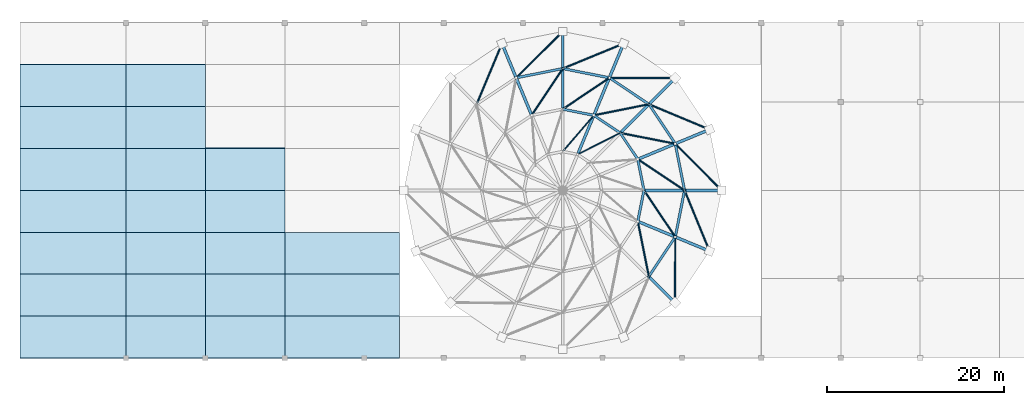
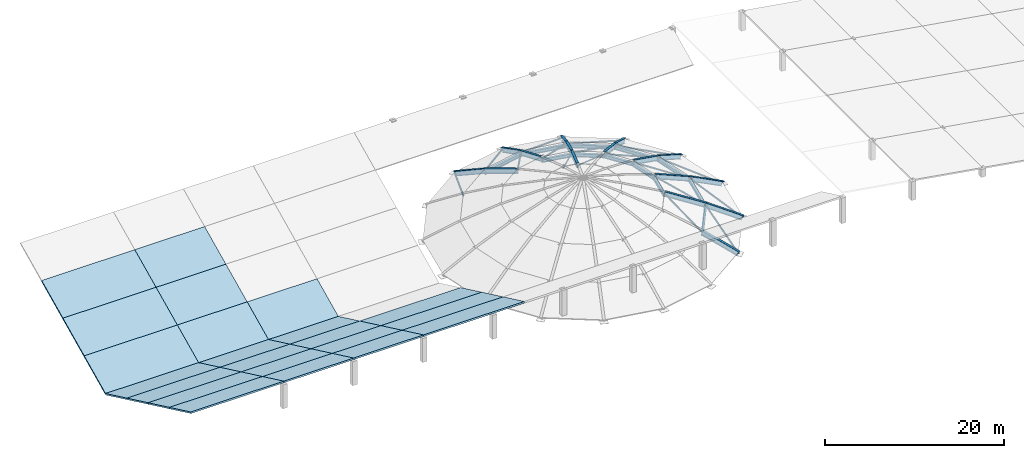
# One storey, part 3 of 7: 33 members, 22 slabs, 12 beams.
"""IFC4 building model written with IfcOpenShell, lengths in metres."""

from ifc_helpers import new_model, si_unit, direction, frame, origin, origin_2d, place, context, subcontext, project, spatial, polyline, hollow_circle, i_section, outline, extrude, material, layer, layer_set, material_profile, profile_set, type_object, element, save


model = new_model("IFC4")

# Units and contexts
model_context = context("Model", 3, precision=1e-05, world=origin(), true_north=direction((0.0, 1.0)))
body_context = subcontext(model_context, "Body", "Model", "MODEL_VIEW")
ifc_project = project(units=[si_unit("LENGTHUNIT", "METRE"), si_unit("AREAUNIT", "SQUARE_METRE"), si_unit("VOLUMEUNIT", "CUBIC_METRE"), si_unit("PLANEANGLEUNIT", "RADIAN"), si_unit("MASSUNIT", "GRAM", prefix="KILO")], contexts=[model_context])

# Site, building, storey
site_placement = place(None, origin())
site = spatial("IfcSite", under=ifc_project, at=site_placement, CompositionType="ELEMENT")
building_placement = place(site_placement, origin())
building = spatial("IfcBuilding", under=site, at=building_placement, Name="Miravela Opera House", CompositionType="ELEMENT")
storey_placement = place(building_placement, frame((0.0, 0.0, 30.760009765625)))
storey = spatial("IfcBuildingStorey", under=building, at=storey_placement, Name="RF", CompositionType="ELEMENT", Elevation=30.760009765625)

# Beams
ifc_material_1 = material(Name="Structural steel ASTM A992 Gr. 50", Category="steel")
ifc_material_profile_1 = material_profile(ifc_material_1, i_section(OverallWidth=0.280029296875, OverallDepth=0.462890625, WebThickness=0.0107421875, FlangeThickness=0.017333984375, FilletRadius=0.014892578125, at=origin_2d()), Name="W460X113")
ifc_profile_set_1 = profile_set([ifc_material_profile_1])
beam_type = type_object("IfcBeamType", Name="STR-BM-W460X113", PredefinedType="BEAM", material=ifc_profile_set_1)
for number, where, z_axis, x_axis, name in (
    (1, (90.300048828125, 56.0, -2.840087890625), (-0.1951045661, 0.980782446971, 0.0), (-0.980782446971, -0.1951045661, 0.0), "Auditorium Dome Steel Compression Ring R1 Seg 01"),
    (2, (89.24951171875, 61.281005859375, -2.840087890625), (-0.555568356554, 0.831470866114, 0.0), (-0.831470866114, -0.555568356554, 0.0), "Auditorium Dome Steel Compression Ring R1 Seg 02"),
    (3, (86.258056640625, 65.758056640625, -2.840087890625), (-0.831470866114, 0.555568356554, 0.0), (-0.555568356554, -0.831470866114, 0.0), "Auditorium Dome Steel Compression Ring R1 Seg 03"),
    (4, (81.781005859375, 68.74951171875, -2.840087890625), (-0.980782446971, 0.1951045661, 0.0), (-0.1951045661, -0.980782446971, 0.0), "Auditorium Dome Steel Compression Ring R1 Seg 04"),
    (5, (76.5, 69.800048828125, -2.840087890625), (-0.980782446971, -0.1951045661, 0.0), (0.1951045661, -0.980782446971, 0.0), "Auditorium Dome Steel Compression Ring R1 Seg 05"),
    (6, (86.258056640625, 46.241943359375, -2.840087890625), (0.555568356554, 0.831470866114, 0.0), (-0.831470866114, 0.555568356554, 0.0), "Auditorium Dome Steel Compression Ring R1 Seg 15"),
    (7, (89.24951171875, 50.718994140625, -2.840087890625), (0.1951045661, 0.980782446971, 0.0), (-0.980782446971, 0.1951045661, 0.0), "Auditorium Dome Steel Compression Ring R1 Seg 16"),
):
    element("IfcBeam", number, at=place(storey_placement, frame(where, z_axis=z_axis, x_axis=x_axis)), inside=storey, type_object=beam_type, Name=name, PredefinedType="BEAM", context=body_context, shape_type="SweptSolid", body=[
        extrude(i_section(OverallWidth=0.280029296875, OverallDepth=0.462890625, WebThickness=0.0107421875, FlangeThickness=0.017333984375, FilletRadius=0.014892578125, at=origin_2d()), origin(), (0.0, 0.0, 1.0), 5.384521484375),
    ])
for number, where, z_axis, x_axis, name in (
    (8, (85.699951171875, 56.0, -0.889892578125), (-0.195056612782, 0.980791984985, 0.0), (-0.980791984985, -0.195056612782, 0.0), "Auditorium Dome Steel Compression Ring R2 Seg 01"),
    (9, (84.999755859375, 59.520751953125, -0.889892578125), (-0.555594502178, 0.831453395657, 0.0), (-0.831453395657, -0.555594502178, 0.0), "Auditorium Dome Steel Compression Ring R2 Seg 02"),
    (10, (83.00537109375, 62.50537109375, -0.889892578125), (-0.831453395657, 0.555594502178, 0.0), (-0.555594502178, -0.831453395657, 0.0), "Auditorium Dome Steel Compression Ring R2 Seg 03"),
    (11, (80.020751953125, 64.499755859375, -0.889892578125), (-0.980791984985, 0.195056612782, 0.0), (-0.195056612782, -0.980791984985, 0.0), "Auditorium Dome Steel Compression Ring R2 Seg 04"),
    (12, (84.999755859375, 52.479248046875, -0.889892578125), (0.195056612782, 0.980791984985, 0.0), (-0.980791984985, 0.195056612782, 0.0), "Auditorium Dome Steel Compression Ring R2 Seg 16"),
):
    element("IfcBeam", number, at=place(storey_placement, frame(where, z_axis=z_axis, x_axis=x_axis)), inside=storey, type_object=beam_type, Name=name, PredefinedType="BEAM", context=body_context, shape_type="SweptSolid", body=[
        extrude(i_section(OverallWidth=0.280029296875, OverallDepth=0.462890625, WebThickness=0.0107421875, FlangeThickness=0.017333984375, FilletRadius=0.014892578125, at=origin_2d()), origin(), (0.0, 0.0, 1.0), 3.589599609375),
    ])

# Members
ifc_material_2 = material(Name="Hollow structural steel ASTM A500 Gr. C", Category="steel")
ifc_material_profile_2 = material_profile(ifc_material_2, hollow_circle(Radius=0.109619140625, WallThickness=0.010009765625, at=origin_2d()), Name="CHS219X10")
ifc_profile_set_2 = profile_set([ifc_material_profile_2])
member_type_1 = type_object("IfcMemberType", Name="STR-MEM-DOME-BR1", PredefinedType="BRACE", material=ifc_profile_set_2)
for number, where, z_axis, x_axis, name in (
    (13, (94.5, 56.0, -4.7099609375), (-0.677874378853, 0.681814409419, 0.274982613276), (-0.709152818555, -0.705054806335, 0.0), "Auditorium Dome Schwedler Brace R1-S01"),
    (14, (93.1298828125, 62.88818359375, -4.7099609375), (-0.887189112182, 0.370515792578, 0.274979138618), (-0.385371801197, -0.922761385648, 0.0), "Auditorium Dome Schwedler Brace R1-S02"),
):
    element("IfcMember", number, at=place(storey_placement, frame(where, z_axis=z_axis, x_axis=x_axis)), inside=storey, type_object=member_type_1, Name=name, PredefinedType="BRACE", context=body_context, shape_type="SweptSolid", body=[
        extrude(hollow_circle(Radius=0.109619140625, WallThickness=0.010009765625, at=origin_2d()), origin(), (0.0, 0.0, 1.0), 7.74560546875),
    ])
for number, where, z_axis, x_axis, name in (
    (15, (89.227783203125, 68.727783203125, -4.7099609375), (-0.961444001717, 0.002805341163, 0.274986475345), (-0.002917829032, -0.999995743128, 0.0), "Auditorium Dome Schwedler Brace R1-S03"),
    (16, (83.38818359375, 72.6298828125, -4.7099609375), (-0.889324160399, -0.365356076529, 0.274986317974), (0.380006015429, -0.924984015125, 0.0), "Auditorium Dome Schwedler Brace R1-S04"),
):
    element("IfcMember", number, at=place(storey_placement, frame(where, z_axis=z_axis, x_axis=x_axis)), inside=storey, type_object=member_type_1, Name=name, PredefinedType="BRACE", context=body_context, shape_type="SweptSolid", body=[
        extrude(hollow_circle(Radius=0.109619140625, WallThickness=0.010009765625, at=origin_2d()), origin(), (0.0, 0.0, 1.0), 7.745361328125),
    ])
for number, where, z_axis, x_axis, name in (
    (17, (76.5, 74.0, -4.7099609375), (-0.681814409419, -0.677874378853, 0.274982613276), (0.705054806335, -0.709152818555, 0.0), "Auditorium Dome Schwedler Brace R1-S05"),
    (18, (69.61181640625, 72.6298828125, -4.7099609375), (-0.370515792578, -0.887189112182, 0.274979138618), (0.922761385648, -0.385371801197, 0.0), "Auditorium Dome Schwedler Brace R1-S06"),
):
    element("IfcMember", number, at=place(storey_placement, frame(where, z_axis=z_axis, x_axis=x_axis)), inside=storey, type_object=member_type_1, Name=name, PredefinedType="BRACE", context=body_context, shape_type="SweptSolid", body=[
        extrude(hollow_circle(Radius=0.109619140625, WallThickness=0.010009765625, at=origin_2d()), origin(), (0.0, 0.0, 1.0), 7.74560546875),
    ])
for number, where, z_axis, x_axis, name in (
    (19, (89.227783203125, 43.272216796875, -4.7099609375), (0.002805341163, 0.961444001717, 0.274986475345), (-0.999995743128, 0.002917829032, 0.0), "Auditorium Dome Schwedler Brace R1-S15"),
    (20, (93.1298828125, 49.11181640625, -4.7099609375), (-0.365356076529, 0.889324160399, 0.274986317974), (-0.924984015125, -0.380006015429, 0.0), "Auditorium Dome Schwedler Brace R1-S16"),
):
    element("IfcMember", number, at=place(storey_placement, frame(where, z_axis=z_axis, x_axis=x_axis)), inside=storey, type_object=member_type_1, Name=name, PredefinedType="BRACE", context=body_context, shape_type="SweptSolid", body=[
        extrude(hollow_circle(Radius=0.109619140625, WallThickness=0.010009765625, at=origin_2d()), origin(), (0.0, 0.0, 1.0), 7.745361328125),
    ])
member_1_placement = place(storey_placement, frame((90.300048828125, 56.0, -2.580078125), z_axis=(-0.79641896998, 0.529026161496, 0.292998540453), x_axis=(-0.553309308907, -0.832975875207, 0.0)))
element("IfcMember", 21, at=member_1_placement, inside=storey, type_object=member_type_1, Name="Auditorium Dome Schwedler Brace R2-S01", PredefinedType="BRACE", context=body_context, shape_type="SweptSolid", body=[
    extrude(hollow_circle(Radius=0.109619140625, WallThickness=0.010009765625, at=origin_2d()), origin(), (0.0, 0.0, 1.0), 6.6552734375),
])
for number, where, z_axis, x_axis, name in (
    (22, (89.24951171875, 61.281005859375, -2.580078125), (-0.938245609319, 0.183973323848, 0.292999987552), (-0.192418083071, -0.981313039406, 0.0), "Auditorium Dome Schwedler Brace R2-S02"),
    (23, (86.258056640625, 65.758056640625, -2.580078125), (-0.937229779882, -0.189074772409, 0.293003532641), (0.197753923461, -0.980251695105, 0.0), "Auditorium Dome Schwedler Brace R2-S03"),
    (24, (81.781005859375, 68.74951171875, -2.580078125), (-0.793524455556, -0.533357314009, 0.29299985329), (0.55783950298, -0.829948847167, 0.0), "Auditorium Dome Schwedler Brace R2-S04"),
):
    element("IfcMember", number, at=place(storey_placement, frame(where, z_axis=z_axis, x_axis=x_axis)), inside=storey, type_object=member_type_1, Name=name, PredefinedType="BRACE", context=body_context, shape_type="SweptSolid", body=[
        extrude(hollow_circle(Radius=0.109619140625, WallThickness=0.010009765625, at=origin_2d()), origin(), (0.0, 0.0, 1.0), 6.655029296875),
    ])
member_2_placement = place(storey_placement, frame((76.5, 69.800048828125, -2.580078125), z_axis=(-0.529026161496, -0.79641896998, 0.292998540453), x_axis=(0.832975875207, -0.553309308907, 0.0)))
element("IfcMember", 25, at=member_2_placement, inside=storey, type_object=member_type_1, Name="Auditorium Dome Schwedler Brace R2-S05", PredefinedType="BRACE", context=body_context, shape_type="SweptSolid", body=[
    extrude(hollow_circle(Radius=0.109619140625, WallThickness=0.010009765625, at=origin_2d()), origin(), (0.0, 0.0, 1.0), 6.6552734375),
])
for number, where, z_axis, x_axis, name in (
    (26, (86.258056640625, 46.241943359375, -2.580078125), (-0.189074772409, 0.937229779882, 0.293003532641), (-0.980251695105, -0.197753923461, 0.0), "Auditorium Dome Schwedler Brace R2-S15"),
    (27, (89.24951171875, 50.718994140625, -2.580078125), (-0.533357314009, 0.793524455556, 0.29299985329), (-0.829948847167, -0.55783950298, 0.0), "Auditorium Dome Schwedler Brace R2-S16"),
):
    element("IfcMember", number, at=place(storey_placement, frame(where, z_axis=z_axis, x_axis=x_axis)), inside=storey, type_object=member_type_1, Name=name, PredefinedType="BRACE", context=body_context, shape_type="SweptSolid", body=[
        extrude(hollow_circle(Radius=0.109619140625, WallThickness=0.010009765625, at=origin_2d()), origin(), (0.0, 0.0, 1.0), 6.655029296875),
    ])
ifc_material_profile_3 = material_profile(ifc_material_2, hollow_circle(Radius=0.084228515625, WallThickness=0.008056640625, at=origin_2d()), Name="CHS168X8")
ifc_profile_set_3 = profile_set([ifc_material_profile_3])
member_type_2 = type_object("IfcMemberType", Name="STR-MEM-DOME-BR2", PredefinedType="BRACE", material=ifc_profile_set_3)
member_3_placement = place(storey_placement, frame((83.00537109375, 62.50537109375, -0.630126953125), z_axis=(-0.855522110488, -0.432981087363, 0.283917763539), x_axis=(0.451563543882, -0.892238962295, 0.0)))
element("IfcMember", 28, at=member_3_placement, inside=storey, type_object=member_type_2, Name="Auditorium Dome Schwedler Brace R3-S03", PredefinedType="BRACE", context=body_context, shape_type="SweptSolid", body=[
    extrude(hollow_circle(Radius=0.084228515625, WallThickness=0.008056640625, at=origin_2d()), origin(), (0.0, 0.0, 1.0), 5.6357421875),
])
member_4_placement = place(storey_placement, frame((80.020751953125, 64.499755859375, -0.630126953125), z_axis=(-0.624686797588, -0.727436751397, 0.283905226503), x_axis=(0.758653565444, -0.651494257564, 0.0)))
element("IfcMember", 29, at=member_4_placement, inside=storey, type_object=member_type_2, Name="Auditorium Dome Schwedler Brace R3-S04", PredefinedType="BRACE", context=body_context, shape_type="SweptSolid", body=[
    extrude(hollow_circle(Radius=0.084228515625, WallThickness=0.008056640625, at=origin_2d()), origin(), (0.0, 0.0, 1.0), 5.635986328125),
])
ifc_material_profile_4 = material_profile(ifc_material_1, i_section(OverallWidth=0.324951171875, OverallDepth=0.615966796875, WebThickness=0.013916015625, FlangeThickness=0.021484375, FilletRadius=0.01806640625, at=origin_2d()), Name="W610X174")
ifc_profile_set_4 = profile_set([ifc_material_profile_4])
member_type_3 = type_object("IfcMemberType", Name="STR-MEM-DOME-RIB1", PredefinedType="CHORD", material=ifc_profile_set_4)
member_5_placement = place(storey_placement, frame((94.5, 56.0, -4.7099609375), z_axis=(-0.891872404415, 0.0, 0.452287092723), x_axis=(0.0, -1.0, 0.0)))
element("IfcMember", 30, at=member_5_placement, inside=storey, type_object=member_type_3, Name="Auditorium Dome Radial Rib Chord S01-R1", PredefinedType="CHORD", context=body_context, shape_type="SweptSolid", body=[
    extrude(i_section(OverallWidth=0.324951171875, OverallDepth=0.615966796875, WebThickness=0.013916015625, FlangeThickness=0.021484375, FilletRadius=0.01806640625, at=origin_2d()), origin(), (0.0, 0.0, 1.0), 4.709228515625),
])
member_6_placement = place(storey_placement, frame((90.300048828125, 56.0, -2.580078125), z_axis=(-0.920697266207, 0.0, 0.39027752177), x_axis=(0.0, -1.0, 0.0)))
element("IfcMember", 31, at=member_6_placement, inside=storey, type_object=member_type_3, Name="Auditorium Dome Radial Rib Chord S01-R2", PredefinedType="CHORD", context=body_context, shape_type="SweptSolid", body=[
    extrude(i_section(OverallWidth=0.324951171875, OverallDepth=0.615966796875, WebThickness=0.013916015625, FlangeThickness=0.021484375, FilletRadius=0.01806640625, at=origin_2d()), origin(), (0.0, 0.0, 1.0), 4.996337890625),
])
member_7_placement = place(storey_placement, frame((93.1298828125, 62.88818359375, -4.7099609375), z_axis=(-0.823995407616, -0.341283614467, 0.452279850009), x_axis=(0.382658110414, -0.9238900208, 0.0)))
element("IfcMember", 32, at=member_7_placement, inside=storey, type_object=member_type_3, Name="Auditorium Dome Radial Rib Chord S02-R1", PredefinedType="CHORD", context=body_context, shape_type="SweptSolid", body=[
    extrude(i_section(OverallWidth=0.324951171875, OverallDepth=0.615966796875, WebThickness=0.013916015625, FlangeThickness=0.021484375, FilletRadius=0.01806640625, at=origin_2d()), origin(), (0.0, 0.0, 1.0), 4.709228515625),
])
member_8_placement = place(storey_placement, frame((89.24951171875, 61.281005859375, -2.580078125), z_axis=(-0.850611021342, -0.35232409168, 0.390292998648), x_axis=(0.382673670509, -0.923883575944, 0.0)))
element("IfcMember", 33, at=member_8_placement, inside=storey, type_object=member_type_3, Name="Auditorium Dome Radial Rib Chord S02-R2", PredefinedType="CHORD", context=body_context, shape_type="SweptSolid", body=[
    extrude(i_section(OverallWidth=0.324951171875, OverallDepth=0.615966796875, WebThickness=0.013916015625, FlangeThickness=0.021484375, FilletRadius=0.01806640625, at=origin_2d()), origin(), (0.0, 0.0, 1.0), 4.99609375),
])
member_9_placement = place(storey_placement, frame((89.227783203125, 68.727783203125, -4.7099609375), z_axis=(-0.630645228708, -0.630645228708, 0.452297679649), x_axis=(0.707106781187, -0.707106781187, 0.0)))
element("IfcMember", 34, at=member_9_placement, inside=storey, type_object=member_type_3, Name="Auditorium Dome Radial Rib Chord S03-R1", PredefinedType="CHORD", context=body_context, shape_type="SweptSolid", body=[
    extrude(i_section(OverallWidth=0.324951171875, OverallDepth=0.615966796875, WebThickness=0.013916015625, FlangeThickness=0.021484375, FilletRadius=0.01806640625, at=origin_2d()), origin(), (0.0, 0.0, 1.0), 4.708984375),
])
member_10_placement = place(storey_placement, frame((86.258056640625, 65.758056640625, -2.580078125), z_axis=(-0.651029003003, -0.651029003003, 0.390285119492), x_axis=(0.707106781187, -0.707106781187, 0.0)))
element("IfcMember", 35, at=member_10_placement, inside=storey, type_object=member_type_3, Name="Auditorium Dome Radial Rib Chord S03-R2", PredefinedType="CHORD", context=body_context, shape_type="SweptSolid", body=[
    extrude(i_section(OverallWidth=0.324951171875, OverallDepth=0.615966796875, WebThickness=0.013916015625, FlangeThickness=0.021484375, FilletRadius=0.01806640625, at=origin_2d()), origin(), (0.0, 0.0, 1.0), 4.996337890625),
])
member_11_placement = place(storey_placement, frame((83.38818359375, 72.6298828125, -4.7099609375), z_axis=(-0.341283614467, -0.823995407616, 0.452279850009), x_axis=(0.9238900208, -0.382658110414, 0.0)))
element("IfcMember", 36, at=member_11_placement, inside=storey, type_object=member_type_3, Name="Auditorium Dome Radial Rib Chord S04-R1", PredefinedType="CHORD", context=body_context, shape_type="SweptSolid", body=[
    extrude(i_section(OverallWidth=0.324951171875, OverallDepth=0.615966796875, WebThickness=0.013916015625, FlangeThickness=0.021484375, FilletRadius=0.01806640625, at=origin_2d()), origin(), (0.0, 0.0, 1.0), 4.709228515625),
])
member_12_placement = place(storey_placement, frame((81.781005859375, 68.74951171875, -2.580078125), z_axis=(-0.35232409168, -0.850611021342, 0.390292998648), x_axis=(0.923883575944, -0.382673670509, 0.0)))
element("IfcMember", 37, at=member_12_placement, inside=storey, type_object=member_type_3, Name="Auditorium Dome Radial Rib Chord S04-R2", PredefinedType="CHORD", context=body_context, shape_type="SweptSolid", body=[
    extrude(i_section(OverallWidth=0.324951171875, OverallDepth=0.615966796875, WebThickness=0.013916015625, FlangeThickness=0.021484375, FilletRadius=0.01806640625, at=origin_2d()), origin(), (0.0, 0.0, 1.0), 4.99609375),
])
member_13_placement = place(storey_placement, frame((76.5, 74.0, -4.7099609375), z_axis=(0.0, -0.891872404415, 0.452287092723), x_axis=(1.0, 0.0, 0.0)))
element("IfcMember", 38, at=member_13_placement, inside=storey, type_object=member_type_3, Name="Auditorium Dome Radial Rib Chord S05-R1", PredefinedType="CHORD", context=body_context, shape_type="SweptSolid", body=[
    extrude(i_section(OverallWidth=0.324951171875, OverallDepth=0.615966796875, WebThickness=0.013916015625, FlangeThickness=0.021484375, FilletRadius=0.01806640625, at=origin_2d()), origin(), (0.0, 0.0, 1.0), 4.709228515625),
])
member_14_placement = place(storey_placement, frame((76.5, 69.800048828125, -2.580078125), z_axis=(0.0, -0.920697266207, 0.39027752177), x_axis=(1.0, 0.0, 0.0)))
element("IfcMember", 39, at=member_14_placement, inside=storey, type_object=member_type_3, Name="Auditorium Dome Radial Rib Chord S05-R2", PredefinedType="CHORD", context=body_context, shape_type="SweptSolid", body=[
    extrude(i_section(OverallWidth=0.324951171875, OverallDepth=0.615966796875, WebThickness=0.013916015625, FlangeThickness=0.021484375, FilletRadius=0.01806640625, at=origin_2d()), origin(), (0.0, 0.0, 1.0), 4.996337890625),
])
member_15_placement = place(storey_placement, frame((69.61181640625, 72.6298828125, -4.7099609375), z_axis=(0.341283614467, -0.823995407616, 0.452279850009), x_axis=(0.9238900208, 0.382658110414, 0.0)))
element("IfcMember", 40, at=member_15_placement, inside=storey, type_object=member_type_3, Name="Auditorium Dome Radial Rib Chord S06-R1", PredefinedType="CHORD", context=body_context, shape_type="SweptSolid", body=[
    extrude(i_section(OverallWidth=0.324951171875, OverallDepth=0.615966796875, WebThickness=0.013916015625, FlangeThickness=0.021484375, FilletRadius=0.01806640625, at=origin_2d()), origin(), (0.0, 0.0, 1.0), 4.709228515625),
])
member_16_placement = place(storey_placement, frame((71.218994140625, 68.74951171875, -2.580078125), z_axis=(0.35232409168, -0.850611021342, 0.390292998648), x_axis=(0.923883575944, 0.382673670509, 0.0)))
element("IfcMember", 41, at=member_16_placement, inside=storey, type_object=member_type_3, Name="Auditorium Dome Radial Rib Chord S06-R2", PredefinedType="CHORD", context=body_context, shape_type="SweptSolid", body=[
    extrude(i_section(OverallWidth=0.324951171875, OverallDepth=0.615966796875, WebThickness=0.013916015625, FlangeThickness=0.021484375, FilletRadius=0.01806640625, at=origin_2d()), origin(), (0.0, 0.0, 1.0), 4.99609375),
])
member_17_placement = place(storey_placement, frame((89.227783203125, 43.272216796875, -4.7099609375), z_axis=(-0.630645228708, 0.630645228708, 0.452297679649), x_axis=(-0.707106781187, -0.707106781187, 0.0)))
element("IfcMember", 42, at=member_17_placement, inside=storey, type_object=member_type_3, Name="Auditorium Dome Radial Rib Chord S15-R1", PredefinedType="CHORD", context=body_context, shape_type="SweptSolid", body=[
    extrude(i_section(OverallWidth=0.324951171875, OverallDepth=0.615966796875, WebThickness=0.013916015625, FlangeThickness=0.021484375, FilletRadius=0.01806640625, at=origin_2d()), origin(), (0.0, 0.0, 1.0), 4.708984375),
])
member_18_placement = place(storey_placement, frame((93.1298828125, 49.11181640625, -4.7099609375), z_axis=(-0.823995407616, 0.341283614467, 0.452279850009), x_axis=(-0.382658110414, -0.9238900208, 0.0)))
element("IfcMember", 43, at=member_18_placement, inside=storey, type_object=member_type_3, Name="Auditorium Dome Radial Rib Chord S16-R1", PredefinedType="CHORD", context=body_context, shape_type="SweptSolid", body=[
    extrude(i_section(OverallWidth=0.324951171875, OverallDepth=0.615966796875, WebThickness=0.013916015625, FlangeThickness=0.021484375, FilletRadius=0.01806640625, at=origin_2d()), origin(), (0.0, 0.0, 1.0), 4.709228515625),
])
member_19_placement = place(storey_placement, frame((89.24951171875, 50.718994140625, -2.580078125), z_axis=(-0.850611021342, 0.35232409168, 0.390292998648), x_axis=(-0.382673670509, -0.923883575944, 0.0)))
element("IfcMember", 44, at=member_19_placement, inside=storey, type_object=member_type_3, Name="Auditorium Dome Radial Rib Chord S16-R2", PredefinedType="CHORD", context=body_context, shape_type="SweptSolid", body=[
    extrude(i_section(OverallWidth=0.324951171875, OverallDepth=0.615966796875, WebThickness=0.013916015625, FlangeThickness=0.021484375, FilletRadius=0.01806640625, at=origin_2d()), origin(), (0.0, 0.0, 1.0), 4.99609375),
])
ifc_material_profile_5 = material_profile(ifc_material_1, i_section(OverallWidth=0.31201171875, OverallDepth=0.54296875, WebThickness=0.0126953125, FlangeThickness=0.020263671875, FilletRadius=0.01611328125, at=origin_2d()), Name="W530X150")
ifc_profile_set_5 = profile_set([ifc_material_profile_5])
member_type_4 = type_object("IfcMemberType", Name="STR-MEM-DOME-RIB2", PredefinedType="CHORD", material=ifc_profile_set_5)
member_20_placement = place(storey_placement, frame((80.020751953125, 64.499755859375, -0.630126953125), z_axis=(-0.363052163345, -0.876459263025, 0.316247192791), x_axis=(0.923875488976, -0.382693194178, 0.0)))
element("IfcMember", 45, at=member_20_placement, inside=storey, type_object=member_type_4, Name="Auditorium Dome Radial Rib Chord S04-R3", PredefinedType="CHORD", context=body_context, shape_type="SweptSolid", body=[
    extrude(i_section(OverallWidth=0.31201171875, OverallDepth=0.54296875, WebThickness=0.0126953125, FlangeThickness=0.020263671875, FilletRadius=0.01611328125, at=origin_2d()), origin(), (0.0, 0.0, 1.0), 5.0595703125),
])

# Slabs
ifc_material_3 = material(Name="Concrete C35/45", Category="concrete")
ifc_layer = layer(ifc_material_3, 0.18994140625)
ifc_layer_set = layer_set([ifc_layer])
slab_type = type_object("IfcSlabType", Name="STR-ROOF-VWRAP-190", PredefinedType="ROOF", material=ifc_layer_set)
slab_1_placement = place(storey_placement, frame((15.0, 37.0, 3.5), z_axis=(0.0, 0.428086344739, 0.903737838894), x_axis=(1.0, 0.0, 0.0)))
element("IfcSlab", 46, at=slab_1_placement, inside=storey, type_object=slab_type, Name="Auditorium V-Crest Roof Slab Bay 1.1", PredefinedType="ROOF", context=body_context, shape_type="SweptSolid", body=[
    extrude(outline(polyline([(0.0, 0.0), (12.0, 0.0), (12.0, 5.25594901040716), (0.0, 5.25594901040716), (0.0, 0.0)])), origin(), (0.0, 0.0, -1.0), 0.18994140625),
])
for number, where, z_axis, x_axis, name in (
    (47, (27.0, 37.0, 3.5), (0.0, 0.428086344739, 0.903737838894), (1.0, 0.0, 0.0), "Auditorium V-Crest Roof Slab Bay 1.2"),
    (48, (36.0, 37.0, 3.5), (0.0, 0.428086344739, 0.903737838894), (1.0, 0.0, 0.0), "Auditorium V-Crest Roof Slab Bay 1.3"),
):
    element("IfcSlab", number, at=place(storey_placement, frame(where, z_axis=z_axis, x_axis=x_axis)), inside=storey, type_object=slab_type, Name=name, PredefinedType="ROOF", context=body_context, shape_type="SweptSolid", body=[
        extrude(outline(polyline([(0.0, 0.0), (9.0, 0.0), (9.0, 5.25594901040716), (0.0, 5.25594901040716), (0.0, 0.0)])), origin(), (0.0, 0.0, -1.0), 0.18994140625),
    ])
slab_2_placement = place(storey_placement, frame((45.0, 37.0, 3.5), z_axis=(0.0, 0.428086344739, 0.903737838894), x_axis=(1.0, 0.0, 0.0)))
element("IfcSlab", 49, at=slab_2_placement, inside=storey, type_object=slab_type, Name="Auditorium V-Crest Roof Slab Bay 1.4", PredefinedType="ROOF", context=body_context, shape_type="SweptSolid", body=[
    extrude(outline(polyline([(0.0, 0.0), (13.0, 0.0), (13.0, 5.255949010407159), (0.0, 5.255949010407159), (0.0, 0.0)])), origin(), (0.0, 0.0, -1.0), 0.18994140625),
])
slab_3_placement = place(storey_placement, frame((15.0, 41.75, 1.25), z_axis=(0.0, 0.428086344739, 0.903737838894), x_axis=(1.0, 0.0, 0.0)))
element("IfcSlab", 50, at=slab_3_placement, inside=storey, type_object=slab_type, Name="Auditorium V-Crest Roof Slab Bay 2.1", PredefinedType="ROOF", context=body_context, shape_type="SweptSolid", body=[
    extrude(outline(polyline([(0.0, 0.0), (12.0, 0.0), (12.0, 5.25594901040716), (0.0, 5.25594901040716), (0.0, 0.0)])), origin(), (0.0, 0.0, -1.0), 0.18994140625),
])
for number, where, z_axis, x_axis, name in (
    (51, (27.0, 41.75, 1.25), (0.0, 0.428086344739, 0.903737838894), (1.0, 0.0, 0.0), "Auditorium V-Crest Roof Slab Bay 2.2"),
    (52, (36.0, 41.75, 1.25), (0.0, 0.428086344739, 0.903737838894), (1.0, 0.0, 0.0), "Auditorium V-Crest Roof Slab Bay 2.3"),
):
    element("IfcSlab", number, at=place(storey_placement, frame(where, z_axis=z_axis, x_axis=x_axis)), inside=storey, type_object=slab_type, Name=name, PredefinedType="ROOF", context=body_context, shape_type="SweptSolid", body=[
        extrude(outline(polyline([(0.0, 0.0), (9.0, 0.0), (9.0, 5.25594901040716), (0.0, 5.25594901040716), (0.0, 0.0)])), origin(), (0.0, 0.0, -1.0), 0.18994140625),
    ])
slab_4_placement = place(storey_placement, frame((45.0, 41.75, 1.25), z_axis=(0.0, 0.428086344739, 0.903737838894), x_axis=(1.0, 0.0, 0.0)))
element("IfcSlab", 53, at=slab_4_placement, inside=storey, type_object=slab_type, Name="Auditorium V-Crest Roof Slab Bay 2.4", PredefinedType="ROOF", context=body_context, shape_type="SweptSolid", body=[
    extrude(outline(polyline([(0.0, 0.0), (13.0, 0.0), (13.0, 5.255949010407159), (0.0, 5.255949010407159), (0.0, 0.0)])), origin(), (0.0, 0.0, -1.0), 0.18994140625),
])
slab_5_placement = place(storey_placement, frame((15.0, 46.5, -1.0), z_axis=(0.0, 0.428086344739, 0.903737838894), x_axis=(1.0, 0.0, 0.0)))
element("IfcSlab", 54, at=slab_5_placement, inside=storey, type_object=slab_type, Name="Auditorium V-Crest Roof Slab Bay 3.1", PredefinedType="ROOF", context=body_context, shape_type="SweptSolid", body=[
    extrude(outline(polyline([(0.0, 0.0), (12.0, 0.0), (12.0, 5.25594901040716), (0.0, 5.25594901040716), (0.0, 0.0)])), origin(), (0.0, 0.0, -1.0), 0.18994140625),
])
for number, where, z_axis, x_axis, name in (
    (55, (27.0, 46.5, -1.0), (0.0, 0.428086344739, 0.903737838894), (1.0, 0.0, 0.0), "Auditorium V-Crest Roof Slab Bay 3.2"),
    (56, (36.0, 46.5, -1.0), (0.0, 0.428086344739, 0.903737838894), (1.0, 0.0, 0.0), "Auditorium V-Crest Roof Slab Bay 3.3"),
):
    element("IfcSlab", number, at=place(storey_placement, frame(where, z_axis=z_axis, x_axis=x_axis)), inside=storey, type_object=slab_type, Name=name, PredefinedType="ROOF", context=body_context, shape_type="SweptSolid", body=[
        extrude(outline(polyline([(0.0, 0.0), (9.0, 0.0), (9.0, 5.25594901040716), (0.0, 5.25594901040716), (0.0, 0.0)])), origin(), (0.0, 0.0, -1.0), 0.18994140625),
    ])
slab_6_placement = place(storey_placement, frame((45.0, 46.5, -1.0), z_axis=(0.0, 0.428086344739, 0.903737838894), x_axis=(1.0, 0.0, 0.0)))
element("IfcSlab", 57, at=slab_6_placement, inside=storey, type_object=slab_type, Name="Auditorium V-Crest Roof Slab Bay 3.4", PredefinedType="ROOF", context=body_context, shape_type="SweptSolid", body=[
    extrude(outline(polyline([(0.0, 0.0), (13.0, 0.0), (13.0, 5.255949010407159), (0.0, 5.255949010407159), (0.0, 0.0)])), origin(), (0.0, 0.0, -1.0), 0.18994140625),
])
slab_7_placement = place(storey_placement, frame((15.0, 51.25, -3.25), z_axis=(0.0, 0.428086344739, 0.903737838894), x_axis=(1.0, 0.0, 0.0)))
element("IfcSlab", 58, at=slab_7_placement, inside=storey, type_object=slab_type, Name="Auditorium V-Crest Roof Slab Bay 4.1", PredefinedType="ROOF", context=body_context, shape_type="SweptSolid", body=[
    extrude(outline(polyline([(0.0, 0.0), (12.0, 0.0), (12.0, 5.25594901040716), (0.0, 5.25594901040716), (0.0, 0.0)])), origin(), (0.0, 0.0, -1.0), 0.18994140625),
])
for number, where, z_axis, x_axis, name in (
    (59, (27.0, 51.25, -3.25), (0.0, 0.428086344739, 0.903737838894), (1.0, 0.0, 0.0), "Auditorium V-Crest Roof Slab Bay 4.2"),
    (60, (36.0, 51.25, -3.25), (0.0, 0.428086344739, 0.903737838894), (1.0, 0.0, 0.0), "Auditorium V-Crest Roof Slab Bay 4.3"),
):
    element("IfcSlab", number, at=place(storey_placement, frame(where, z_axis=z_axis, x_axis=x_axis)), inside=storey, type_object=slab_type, Name=name, PredefinedType="ROOF", context=body_context, shape_type="SweptSolid", body=[
        extrude(outline(polyline([(0.0, 0.0), (9.0, 0.0), (9.0, 5.25594901040716), (0.0, 5.25594901040716), (0.0, 0.0)])), origin(), (0.0, 0.0, -1.0), 0.18994140625),
    ])
slab_8_placement = place(storey_placement, frame((15.0, 56.0, -5.5), z_axis=(0.0, -0.428086344739, 0.903737838894), x_axis=(1.0, 0.0, 0.0)))
element("IfcSlab", 61, at=slab_8_placement, inside=storey, type_object=slab_type, Name="Auditorium V-Crest Roof Slab Bay 5.1", PredefinedType="ROOF", context=body_context, shape_type="SweptSolid", body=[
    extrude(outline(polyline([(0.0, 0.0), (12.0, 0.0), (12.0, 5.25594901040716), (0.0, 5.25594901040716), (0.0, 0.0)])), origin(), (0.0, 0.0, -1.0), 0.18994140625),
])
for number, where, z_axis, x_axis, name in (
    (62, (27.0, 56.0, -5.5), (0.0, -0.428086344739, 0.903737838894), (1.0, 0.0, 0.0), "Auditorium V-Crest Roof Slab Bay 5.2"),
    (63, (36.0, 56.0, -5.5), (0.0, -0.428086344739, 0.903737838894), (1.0, 0.0, 0.0), "Auditorium V-Crest Roof Slab Bay 5.3"),
):
    element("IfcSlab", number, at=place(storey_placement, frame(where, z_axis=z_axis, x_axis=x_axis)), inside=storey, type_object=slab_type, Name=name, PredefinedType="ROOF", context=body_context, shape_type="SweptSolid", body=[
        extrude(outline(polyline([(0.0, 0.0), (9.0, 0.0), (9.0, 5.25594901040716), (0.0, 5.25594901040716), (0.0, 0.0)])), origin(), (0.0, 0.0, -1.0), 0.18994140625),
    ])
slab_9_placement = place(storey_placement, frame((15.0, 60.75, -3.25), z_axis=(0.0, -0.428086344739, 0.903737838894), x_axis=(1.0, 0.0, 0.0)))
element("IfcSlab", 64, at=slab_9_placement, inside=storey, type_object=slab_type, Name="Auditorium V-Crest Roof Slab Bay 6.1", PredefinedType="ROOF", context=body_context, shape_type="SweptSolid", body=[
    extrude(outline(polyline([(0.0, 0.0), (12.0, 0.0), (12.0, 5.25594901040716), (0.0, 5.25594901040716), (0.0, 0.0)])), origin(), (0.0, 0.0, -1.0), 0.18994140625),
])
slab_10_placement = place(storey_placement, frame((27.0, 60.75, -3.25), z_axis=(0.0, -0.428086344739, 0.903737838894), x_axis=(1.0, 0.0, 0.0)))
element("IfcSlab", 65, at=slab_10_placement, inside=storey, type_object=slab_type, Name="Auditorium V-Crest Roof Slab Bay 6.2", PredefinedType="ROOF", context=body_context, shape_type="SweptSolid", body=[
    extrude(outline(polyline([(0.0, 0.0), (9.0, 0.0), (9.0, 5.25594901040716), (0.0, 5.25594901040716), (0.0, 0.0)])), origin(), (0.0, 0.0, -1.0), 0.18994140625),
])
slab_11_placement = place(storey_placement, frame((15.0, 65.5, -1.0), z_axis=(0.0, -0.428086344739, 0.903737838894), x_axis=(1.0, 0.0, 0.0)))
element("IfcSlab", 66, at=slab_11_placement, inside=storey, type_object=slab_type, Name="Auditorium V-Crest Roof Slab Bay 7.1", PredefinedType="ROOF", context=body_context, shape_type="SweptSolid", body=[
    extrude(outline(polyline([(0.0, 0.0), (12.0, 0.0), (12.0, 5.25594901040716), (0.0, 5.25594901040716), (0.0, 0.0)])), origin(), (0.0, 0.0, -1.0), 0.18994140625),
])
slab_12_placement = place(storey_placement, frame((27.0, 65.5, -1.0), z_axis=(0.0, -0.428086344739, 0.903737838894), x_axis=(1.0, 0.0, 0.0)))
element("IfcSlab", 67, at=slab_12_placement, inside=storey, type_object=slab_type, Name="Auditorium V-Crest Roof Slab Bay 7.2", PredefinedType="ROOF", context=body_context, shape_type="SweptSolid", body=[
    extrude(outline(polyline([(0.0, 0.0), (9.0, 0.0), (9.0, 5.25594901040716), (0.0, 5.25594901040716), (0.0, 0.0)])), origin(), (0.0, 0.0, -1.0), 0.18994140625),
])

save(model, "model.ifc")
